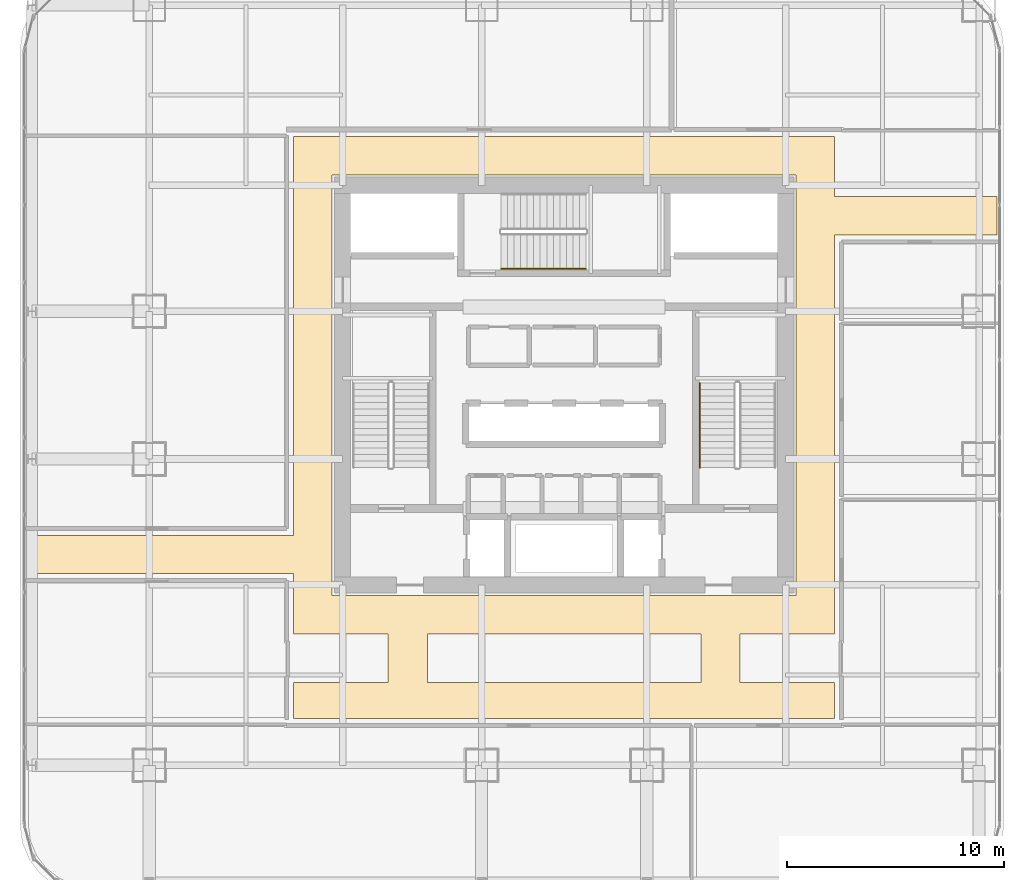
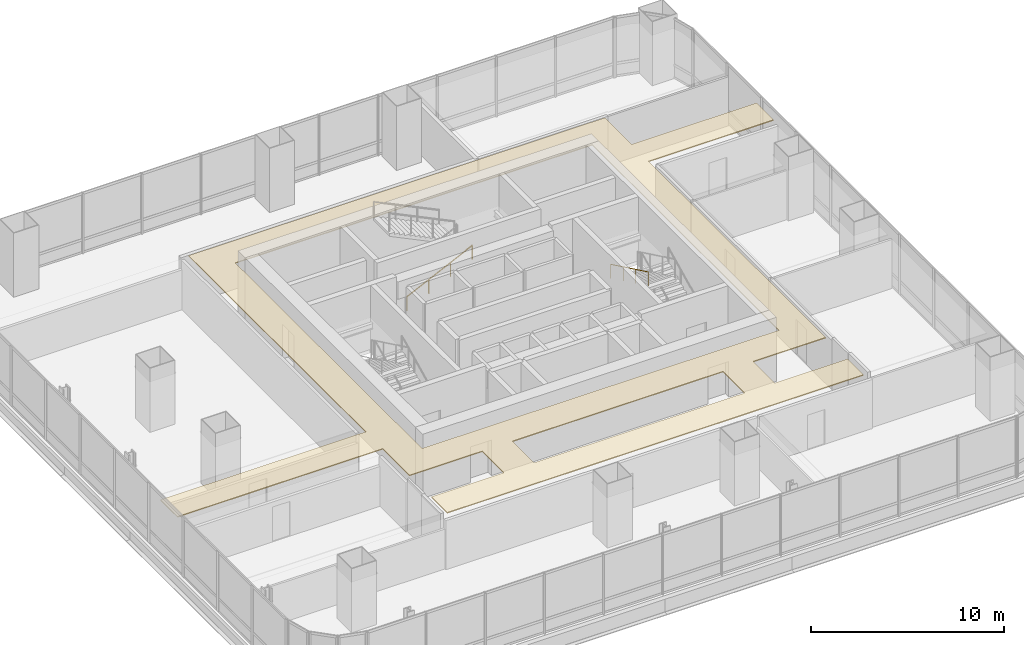
# One storey, part 33 of 35: 2 railings, 1 covering.
"""IFC4 building model written with IfcOpenShell, lengths in metres."""

from ifc_helpers import new_model, si_unit, direction, frame, origin, origin_2d, place, context, subcontext, project, spatial, polyline, circle, outline, extrude, material, layer, layer_set, type_object, element, save


model = new_model("IFC4")

# Units and contexts
model_context = context("Model", 3, precision=1e-05, world=origin(), true_north=direction((0.0, 1.0)))
body_context = subcontext(model_context, "Body", "Model", "MODEL_VIEW")
ifc_project = project(units=[si_unit("LENGTHUNIT", "METRE"), si_unit("AREAUNIT", "SQUARE_METRE"), si_unit("VOLUMEUNIT", "CUBIC_METRE"), si_unit("PLANEANGLEUNIT", "RADIAN"), si_unit("MASSUNIT", "GRAM", prefix="KILO")], contexts=[model_context])

# Site, building, storey
site_placement = place(None, origin())
site = spatial("IfcSite", under=ifc_project, at=site_placement, CompositionType="ELEMENT")
building_placement = place(site_placement, origin())
building = spatial("IfcBuilding", under=site, at=building_placement, Name="Punatoya Terracotta Tower", CompositionType="ELEMENT")
storey_placement = place(building_placement, frame((0.0, 0.0, 52.5)))
storey = spatial("IfcBuildingStorey", under=building, at=storey_placement, Name="L11", CompositionType="ELEMENT", Elevation=52.5)

# Covering
ifc_material_1 = material(Name="Acoustic Mineral Fibre Ceiling")
ifc_layer = layer(ifc_material_1, 0.06005859375)
ifc_layer_set = layer_set([ifc_layer], Name="Acoustic Mineral Fibre Ceiling")
covering_type = type_object("IfcCoveringType", Name="COV-CEIL-60", PredefinedType="CEILING", material=ifc_layer_set)
covering_placement = place(storey_placement, frame((0.0, 0.0, 3.199951171875)))
element("IfcCovering", 1, at=covering_placement, inside=storey, type_object=covering_type, Name="L11 Ring Circulation Corridor Acoustic Ceiling", PredefinedType="CEILING", context=body_context, shape_type="SweptSolid", body=[
    extrude(outline(polyline([(-12.449951171875, -15.35009765625), (12.449951171875, -15.35009765625), (12.449951171875, -13.699951171875), (8.10009765625, -13.699951171875), (8.10009765625, -11.449951171875), (12.449951171875, -11.449951171875), (12.449951171875, 6.919921875), (19.929931640625, 6.919921875), (19.929931640625, 8.679931640625), (12.449951171875, 8.679931640625), (12.449951171875, 11.449951171875), (-12.449951171875, 11.449951171875), (-12.449951171875, -6.919921875), (-24.72998046875, -6.919921875), (-24.72998046875, -8.679931640625), (-12.449951171875, -8.679931640625), (-12.449951171875, -11.449951171875), (-8.10009765625, -11.449951171875), (-8.10009765625, -13.699951171875), (-12.449951171875, -13.699951171875), (-12.449951171875, -15.35009765625)]), holes=[polyline([(10.679931640625, 9.679931640625), (10.679931640625, -9.679931640625), (-10.679931640625, -9.679931640625), (-10.679931640625, 9.679931640625), (10.679931640625, 9.679931640625)]), polyline([(6.300048828125, -13.699951171875), (-6.300048828125, -13.699951171875), (-6.300048828125, -11.449951171875), (6.300048828125, -11.449951171875), (6.300048828125, -13.699951171875)])]), origin(), (0.0, 0.0, 1.0), 0.06005859375),
])

# Railings
ifc_material_2 = material(Name="Steel S355", Category="steel")
railing_type = type_object("IfcRailingType", Name="RLG-HND-900", PredefinedType="HANDRAIL", material=ifc_material_2)
railing_1_placement = place(storey_placement, frame((6.25, 0.10009765625, 2.169677734375)))
element("IfcRailing", 2, at=railing_1_placement, inside=storey, type_object=railing_type, Name="L11 ST-2 stair handrail 2", PredefinedType="HANDRAIL", context=body_context, shape_type="SweptSolid", body=[
    extrude(circle(Radius=0.02392578125, at=origin_2d()), frame((0.0, 0.0, 0.8759765625), z_axis=(0.0, -0.900773802044, 0.434288564841), x_axis=(1.0, 0.0, 0.0)), (0.0, 0.0, 1.0), 4.329833984375),
    extrude(circle(Radius=0.02099609375, at=origin_2d()), origin(), (0.0, 0.0, 1.0), 0.851806640625),
    extrude(circle(Radius=0.02099609375, at=origin_2d()), frame((0.0, -1.300048828125, 0.626708984375)), (0.0, 0.0, 1.0), 0.851806640625),
    extrude(circle(Radius=0.02099609375, at=origin_2d()), frame((0.0, -2.60009765625, 1.253662109375)), (0.0, 0.0, 1.0), 0.851806640625),
    extrude(circle(Radius=0.02099609375, at=origin_2d()), frame((0.0, -3.900146484375, 1.88037109375)), (0.0, 0.0, 1.0), 0.851806640625),
])
railing_2_placement = place(storey_placement, frame((-2.89990234375, 5.35009765625, 0.14453125)))
element("IfcRailing", 3, at=railing_2_placement, inside=storey, type_object=railing_type, Name="L11 ST-3 stair handrail 1", PredefinedType="HANDRAIL", context=body_context, shape_type="SweptSolid", body=[
    extrude(circle(Radius=0.02392578125, at=origin_2d()), frame((0.0, 0.0, 0.8759765625), z_axis=(0.900763166376, 0.0, 0.434310623978), x_axis=(0.0, 1.0, 0.0)), (0.0, 0.0, 1.0), 4.32958984375),
    extrude(circle(Radius=0.02099609375, at=origin_2d()), origin(), (0.0, 0.0, 1.0), 0.851806640625),
    extrude(circle(Radius=0.02099609375, at=origin_2d()), frame((1.300048828125, 0.0, 0.626708984375)), (0.0, 0.0, 1.0), 0.851806640625),
    extrude(circle(Radius=0.02099609375, at=origin_2d()), frame((2.599853515625, 0.0, 1.253662109375)), (0.0, 0.0, 1.0), 0.851806640625),
    extrude(circle(Radius=0.02099609375, at=origin_2d()), frame((3.89990234375, 0.0, 1.88037109375)), (0.0, 0.0, 1.0), 0.851806640625),
])

save(model, "model.ifc")
